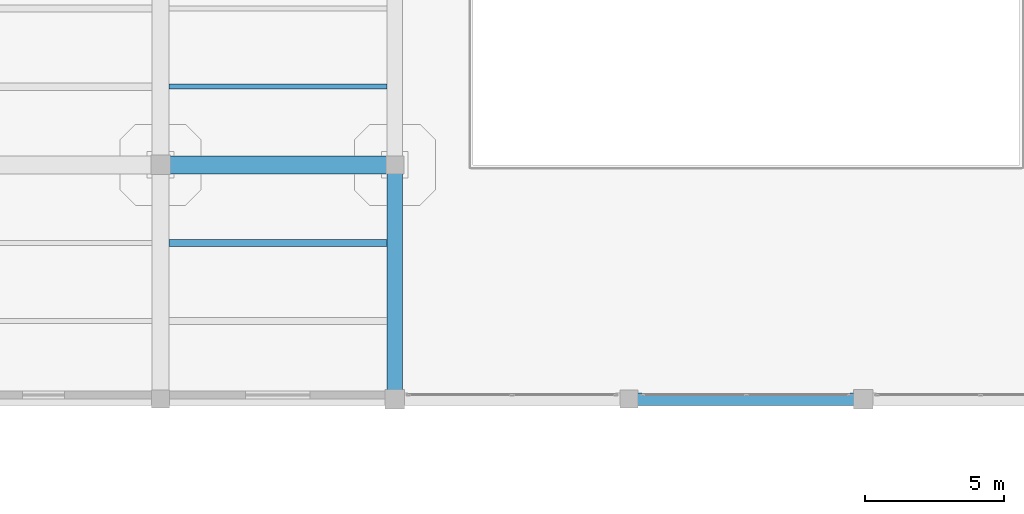
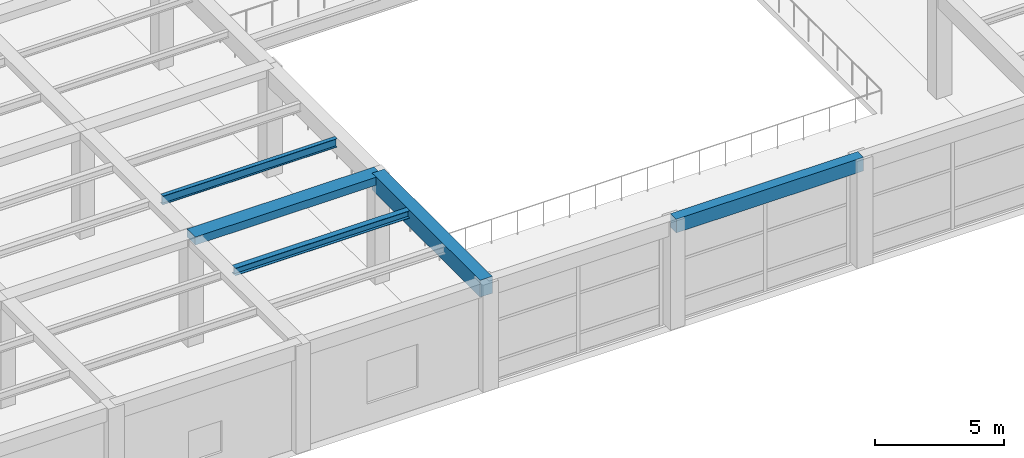
# One storey, part 12 of 65: 5 beams.
"""IFC4 building model written with IfcOpenShell, lengths in metres."""

from ifc_helpers import new_model, si_unit, direction, frame, origin, origin_2d, place, context, subcontext, project, spatial, rectangle, i_section, extrude, material, material_profile, profile_set, type_object, element, save


model = new_model("IFC4")

# Units and contexts
model_context = context("Model", 3, precision=1e-05, world=origin(), true_north=direction((0.0, 1.0)))
body_context = subcontext(model_context, "Body", "Model", "MODEL_VIEW")
ifc_project = project(units=[si_unit("LENGTHUNIT", "METRE"), si_unit("AREAUNIT", "SQUARE_METRE"), si_unit("VOLUMEUNIT", "CUBIC_METRE"), si_unit("PLANEANGLEUNIT", "RADIAN"), si_unit("MASSUNIT", "GRAM", prefix="KILO")], contexts=[model_context])

# Site, building, storey
site_placement = place(None, origin())
site = spatial("IfcSite", under=ifc_project, at=site_placement, CompositionType="ELEMENT")
building_placement = place(site_placement, origin())
building = spatial("IfcBuilding", under=site, at=building_placement, Name="Almacenes y Pasaje Nevantli", CompositionType="ELEMENT")
storey_placement = place(building_placement, frame((0.0, 0.0, 16.800048828125)))
storey = spatial("IfcBuildingStorey", under=building, at=storey_placement, Name="L04", CompositionType="ELEMENT", Elevation=16.800048828125)

# Beams
ifc_material_1 = material(Name="Concrete C35/45", Category="concrete")
ifc_material_profile_1 = material_profile(ifc_material_1, rectangle(XDim=0.449951171875, YDim=0.64990234375, at=origin_2d()), Name="RC-BM-450x650")
ifc_profile_set_1 = profile_set([ifc_material_profile_1], Name="Concrete C35/45")
beam_type_1 = type_object("IfcBeamType", Name="BM-RC-450x650", PredefinedType="SPANDREL", material=ifc_profile_set_1)
beam_1_placement = place(storey_placement, frame((75.60009765625, 0.0, 4.77490234375), z_axis=(1.0, 0.0, 0.0), x_axis=(0.0, 1.0, 0.0)))
element("IfcBeam", 1, at=beam_1_placement, inside=storey, type_object=beam_type_1, Name="L04 East-West Reinforced Concrete Beam #2756", PredefinedType="SPANDREL", context=body_context, shape_type="SweptSolid", body=[
    extrude(rectangle(XDim=0.449951171875, YDim=0.64990234375, at=origin_2d()), origin(), (0.0, 0.0, 1.0), 8.39990234375),
])
ifc_material_2 = material(Name="Concrete C35/45", Category="concrete")
ifc_material_profile_2 = material_profile(ifc_material_2, rectangle(XDim=0.550048828125, YDim=0.800048828125, at=origin_2d()), Name="RC-BM-550x800")
ifc_profile_set_2 = profile_set([ifc_material_profile_2], Name="Concrete C35/45")
beam_type_2 = type_object("IfcBeamType", Name="BM-RC-550x800", PredefinedType="BEAM", material=ifc_profile_set_2)
beam_2_placement = place(storey_placement, frame((67.199951171875, 0.0, 4.699951171875), z_axis=(0.0, 1.0, 0.0), x_axis=(-1.0, 0.0, 0.0)))
element("IfcBeam", 2, at=beam_2_placement, inside=storey, type_object=beam_type_2, Name="L04 North-South Reinforced Concrete Beam #3081", PredefinedType="BEAM", context=body_context, shape_type="SweptSolid", body=[
    extrude(rectangle(XDim=0.550048828125, YDim=0.800048828125, at=origin_2d()), origin(), (0.0, 0.0, 1.0), 8.39990234375),
])
ifc_material_3 = material(Name="Concrete C35/45", Category="concrete")
ifc_material_profile_3 = material_profile(ifc_material_3, rectangle(XDim=0.64990234375, YDim=0.3798828125, at=origin_2d()), Name="RC-BM-650x380")
ifc_profile_set_3 = profile_set([ifc_material_profile_3], Name="Concrete C35/45")
beam_type_3 = type_object("IfcBeamType", Name="BM-RC-650x380", PredefinedType="BEAM", material=ifc_profile_set_3)
beam_3_placement = place(storey_placement, frame((58.800048828125, 8.39990234375, 4.909912109375), z_axis=(1.0, 0.0, 0.0), x_axis=(0.0, 1.0, 0.0)))
element("IfcBeam", 3, at=beam_3_placement, inside=storey, type_object=beam_type_3, Name="L04 East-West Reinforced Concrete Beam #2771", PredefinedType="BEAM", context=body_context, shape_type="SweptSolid", body=[
    extrude(rectangle(XDim=0.64990234375, YDim=0.3798828125, at=origin_2d()), origin(), (0.0, 0.0, 1.0), 8.39990234375),
])
ifc_material_4 = material(Name="Steel ASTM A992", Category="steel")
ifc_material_profile_4 = material_profile(ifc_material_4, i_section(OverallWidth=0.25390625, OverallDepth=0.35595703125, WebThickness=0.009521484375, FlangeThickness=0.016357421875, at=origin_2d()), Name="IR 356x79.0")
ifc_profile_set_4 = profile_set([ifc_material_profile_4], Name="Steel ASTM A992")
beam_type_4 = type_object("IfcBeamType", Name="BM-STL-IR-356x79p0", PredefinedType="JOIST", material=ifc_profile_set_4)
beam_4_placement = place(storey_placement, frame((59.10009765625, 5.60009765625, 4.9140625), z_axis=(1.0, 0.0, 0.0), x_axis=(0.0, 1.0, 0.0)))
element("IfcBeam", 4, at=beam_4_placement, inside=storey, type_object=beam_type_4, Name="L04 Secondary Steel Floor Joist #1108", PredefinedType="JOIST", context=body_context, shape_type="SweptSolid", body=[
    extrude(i_section(OverallWidth=0.25390625, OverallDepth=0.35595703125, WebThickness=0.009521484375, FlangeThickness=0.016357421875, at=origin_2d()), origin(), (0.0, 0.0, 1.0), 7.824951171875),
])
ifc_material_5 = material(Name="Steel ASTM A992", Category="steel")
ifc_material_profile_5 = material_profile(ifc_material_5, i_section(OverallWidth=0.178955078125, OverallDepth=0.406005859375, WebThickness=0.0087890625, FlangeThickness=0.014404296875, at=origin_2d()), Name="IR 406x67.0")
ifc_profile_set_5 = profile_set([ifc_material_profile_5], Name="Steel ASTM A992")
beam_type_5 = type_object("IfcBeamType", Name="BM-STL-IR-406x67p0", PredefinedType="JOIST", material=ifc_profile_set_5)
beam_5_placement = place(storey_placement, frame((59.10009765625, 11.199951171875, 4.888916015625), z_axis=(1.0, 0.0, 0.0), x_axis=(0.0, 1.0, 0.0)))
element("IfcBeam", 5, at=beam_5_placement, inside=storey, type_object=beam_type_5, Name="L04 Secondary Steel Floor Joist #1109", PredefinedType="JOIST", context=body_context, shape_type="SweptSolid", body=[
    extrude(i_section(OverallWidth=0.178955078125, OverallDepth=0.406005859375, WebThickness=0.0087890625, FlangeThickness=0.014404296875, at=origin_2d()), origin(), (0.0, 0.0, 1.0), 7.824951171875),
])

save(model, "model.ifc")
